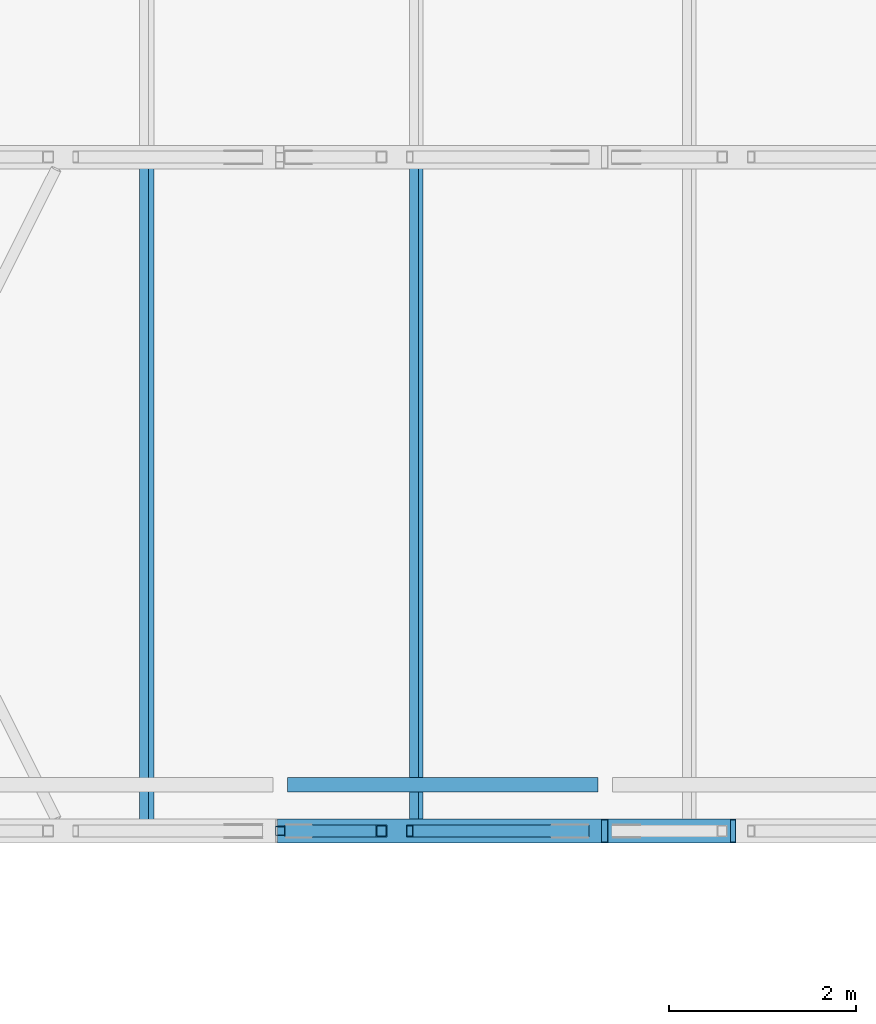
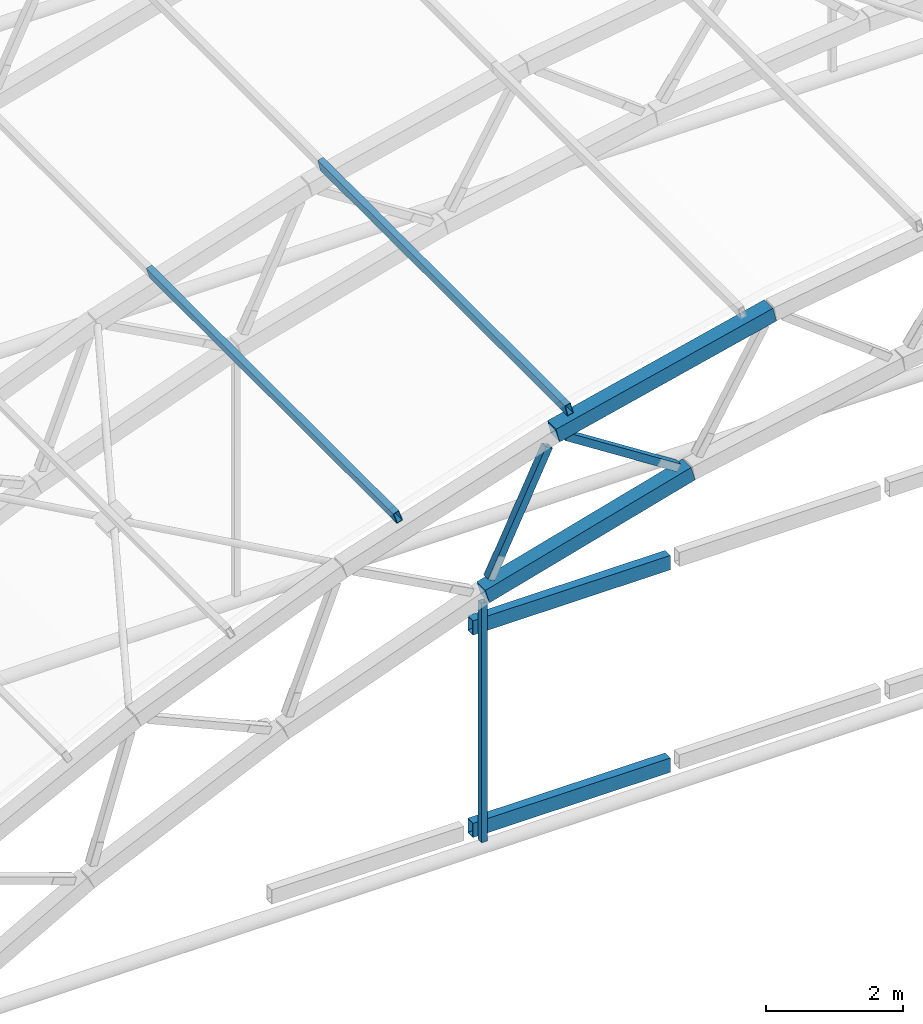
# One storey, part 7 of 127: 7 members, 2 beams.
"""IFC4 building model written with IfcOpenShell, lengths in metres."""

from ifc_helpers import new_model, si_unit, direction, frame, origin, origin_2d, place, context, subcontext, project, spatial, hollow_rectangle, extrude, material, material_profile, profile_set, type_object, element, save


model = new_model("IFC4")

# Units and contexts
model_context = context("Model", 3, precision=1e-05, world=origin(), true_north=direction((0.0, 1.0)))
body_context = subcontext(model_context, "Body", "Model", "MODEL_VIEW")
ifc_project = project(units=[si_unit("LENGTHUNIT", "METRE"), si_unit("AREAUNIT", "SQUARE_METRE"), si_unit("VOLUMEUNIT", "CUBIC_METRE"), si_unit("PLANEANGLEUNIT", "RADIAN"), si_unit("MASSUNIT", "GRAM", prefix="KILO")], contexts=[model_context])

# Site, building, storey
site_placement = place(None, origin())
site = spatial("IfcSite", under=ifc_project, at=site_placement, CompositionType="ELEMENT")
building_placement = place(site_placement, origin())
building = spatial("IfcBuilding", under=site, at=building_placement, Name="Verrick Yard Athletic Hall", CompositionType="ELEMENT")
storey_placement = place(building_placement, frame((0.0, 0.0, 14.0)))
storey = spatial("IfcBuildingStorey", under=building, at=storey_placement, Name="L03", CompositionType="ELEMENT", Elevation=14.0)

# Members
ifc_material = material(Name="Structural steel HSS Class C 350W (CSA G40.20/G40.21)", Category="steel")
ifc_material_profile_1 = material_profile(ifc_material, hollow_rectangle(XDim=0.25390625, YDim=0.25390625, WallThickness=0.009521484375, at=origin_2d()), Name="HSS254x254x9.5")
ifc_profile_set_1 = profile_set([ifc_material_profile_1], Name="Structural steel HSS Class C 350W (CSA G40.20/G40.21)")
member_type_1 = type_object("IfcMemberType", Name="HB bottom chord HSS254x254x9.5", PredefinedType="CHORD", material=ifc_profile_set_1)
member_1_placement = place(storey_placement, frame((37.812255859375, 72.0, 4.514404296875), z_axis=(0.962572378456, 0.0, 0.271024752066), x_axis=(0.0, 1.0, 0.0)))
element("IfcMember", 1, at=member_1_placement, inside=storey, type_object=member_type_1, Name="Truss TB1 bottom chord 4", PredefinedType="CHORD", context=body_context, shape_type="SweptSolid", body=[
    extrude(hollow_rectangle(XDim=0.25390625, YDim=0.25390625, WallThickness=0.009521484375, at=origin_2d()), origin(), (0.0, 0.0, 1.0), 3.595947265625),
])
ifc_material_profile_2 = material_profile(ifc_material, hollow_rectangle(XDim=0.1015625, YDim=0.203125, WallThickness=0.009521484375, at=origin_2d()), Name="HSS203x102x9.5")
ifc_profile_set_2 = profile_set([ifc_material_profile_2], Name="Structural steel HSS Class C 350W (CSA G40.20/G40.21)")
member_type_2 = type_object("IfcMemberType", Name="HB purlin HSS203x102x9.5", PredefinedType="PURLIN", material=ifc_profile_set_2)
for number, where, z_axis, x_axis, name in (
    (2, (36.380859375, 72.0, 6.3544921875), (0.0, 1.0, 0.0), (-0.951213620533, 0.0, -0.308533058379), "HB-PU-B-1-4"),
    (3, (39.2587890625, 72.0, 7.260009765625), (0.0, 1.0, 0.0), (-0.972458956474, 0.0, -0.23307418985), "HB-PU-B-1-5"),
):
    element("IfcMember", number, at=place(storey_placement, frame(where, z_axis=z_axis, x_axis=x_axis)), inside=storey, type_object=member_type_2, Name=name, PredefinedType="PURLIN", context=body_context, shape_type="SweptSolid", body=[
        extrude(hollow_rectangle(XDim=0.1015625, YDim=0.203125, WallThickness=0.009521484375, at=origin_2d()), origin(), (0.0, 0.0, 1.0), 7.199951171875),
    ])
ifc_material_profile_3 = material_profile(ifc_material, hollow_rectangle(XDim=0.25390625, YDim=0.25390625, WallThickness=0.009521484375, at=origin_2d()), Name="HSS254x254x9.5")
ifc_profile_set_3 = profile_set([ifc_material_profile_3], Name="Structural steel HSS Class C 350W (CSA G40.20/G40.21)")
member_type_3 = type_object("IfcMemberType", Name="HB top chord HSS254x254x9.5", PredefinedType="CHORD", material=ifc_profile_set_3)
member_2_placement = place(storey_placement, frame((38.996337890625, 72.0, 6.9619140625), z_axis=(0.972453991168, 0.0, 0.233094905697), x_axis=(0.0, 1.0, 0.0)))
element("IfcMember", 4, at=member_2_placement, inside=storey, type_object=member_type_3, Name="Truss TB1 top chord 5", PredefinedType="CHORD", context=body_context, shape_type="SweptSolid", body=[
    extrude(hollow_rectangle(XDim=0.25390625, YDim=0.25390625, WallThickness=0.009521484375, at=origin_2d()), origin(), (0.0, 0.0, 1.0), 3.752685546875),
])
ifc_material_profile_4 = material_profile(ifc_material, hollow_rectangle(XDim=0.1015625, YDim=0.1015625, WallThickness=0.00634765625, at=origin_2d()), Name="HSS102x102x6.4")
ifc_profile_set_4 = profile_set([ifc_material_profile_4], Name="Structural steel HSS Class C 350W (CSA G40.20/G40.21)")
member_type_4 = type_object("IfcMemberType", Name="HB truss hanger HSS102x102x6.4", PredefinedType="MEMBER", material=ifc_profile_set_4)
member_3_placement = place(storey_placement, frame((37.807373046875, 72.0, 4.35888671875), z_axis=(0.0, 0.0, -1.0), x_axis=(0.0, -1.0, 0.0)))
element("IfcMember", 5, at=member_3_placement, inside=storey, type_object=member_type_4, Name="Truss TB1 hanger 1", PredefinedType="MEMBER", context=body_context, shape_type="SweptSolid", body=[
    extrude(hollow_rectangle(XDim=0.1015625, YDim=0.1015625, WallThickness=0.00634765625, at=origin_2d()), origin(), (0.0, 0.0, 1.0), 4.249267578125),
])
ifc_material_profile_5 = material_profile(ifc_material, hollow_rectangle(XDim=0.126953125, YDim=0.126953125, WallThickness=0.009521484375, at=origin_2d()), Name="HSS127x127x9.5")
ifc_profile_set_5 = profile_set([ifc_material_profile_5], Name="Structural steel HSS Class C 350W (CSA G40.20/G40.21)")
member_type_5 = type_object("IfcMemberType", Name="HB truss web HSS127x127x9.5", PredefinedType="BRACE", material=ifc_profile_set_5)
for number, where, z_axis, x_axis, name in (
    (6, (37.915771484375, 72.0, 4.73681640625), (0.435458074734, 0.0, 0.900209011924), (0.0, 1.0, 0.0), "Truss TB1 web 7"),
    (7, (39.190673828125, 72.0, 6.832763671875), (0.841118094735, 0.0, -0.54085150523), (0.0, 1.0, 0.0), "Truss TB1 web 8"),
):
    element("IfcMember", number, at=place(storey_placement, frame(where, z_axis=z_axis, x_axis=x_axis)), inside=storey, type_object=member_type_5, Name=name, PredefinedType="BRACE", context=body_context, shape_type="SweptSolid", body=[
        extrude(hollow_rectangle(XDim=0.126953125, YDim=0.126953125, WallThickness=0.009521484375, at=origin_2d()), origin(), (0.0, 0.0, 1.0), 2.233642578125),
    ])

# Beams
ifc_material_profile_6 = material_profile(ifc_material, hollow_rectangle(XDim=0.15234375, YDim=0.25390625, WallThickness=0.009521484375, at=origin_2d()), Name="HSS254x152x9.5")
ifc_profile_set_6 = profile_set([ifc_material_profile_6], Name="Structural steel HSS Class C 350W (CSA G40.20/G40.21)")
beam_type = type_object("IfcBeamType", Name="HB wind girder HSS254x152x9.5", PredefinedType="BEAM", material=ifc_profile_set_6)
for number, where, z_axis, x_axis, name in (
    (8, (37.8837890625, 72.49462890625, 0.0), (1.0, 0.0, 0.0), (0.0, 1.0, 0.0), "HB-WG-BS-140-2"),
    (9, (37.8837890625, 72.49462890625, 3.60009765625), (1.0, 0.0, 0.0), (0.0, 1.0, 0.0), "HB-WG-BS-176-1"),
):
    element("IfcBeam", number, at=place(storey_placement, frame(where, z_axis=z_axis, x_axis=x_axis)), inside=storey, type_object=beam_type, Name=name, PredefinedType="BEAM", context=body_context, shape_type="SweptSolid", body=[
        extrude(hollow_rectangle(XDim=0.15234375, YDim=0.25390625, WallThickness=0.009521484375, at=origin_2d()), origin(), (0.0, 0.0, 1.0), 3.318603515625),
    ])

save(model, "model.ifc")
